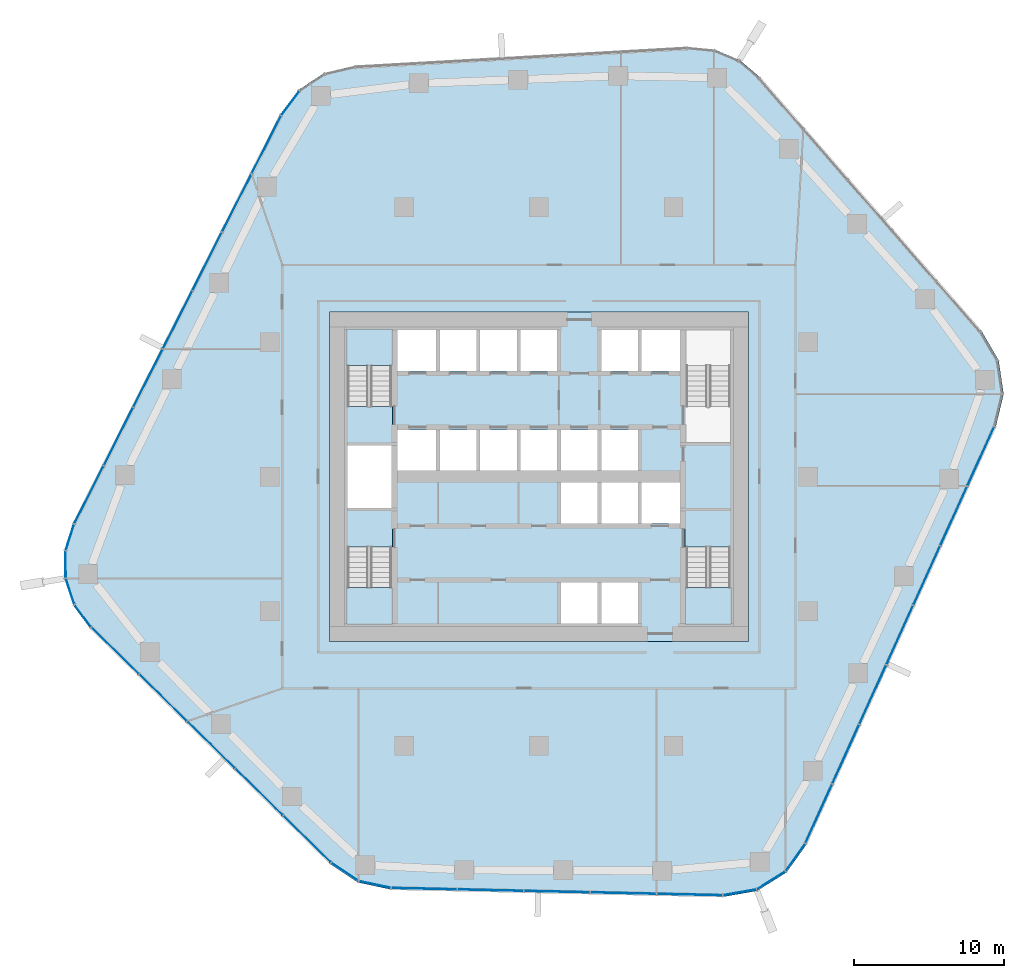
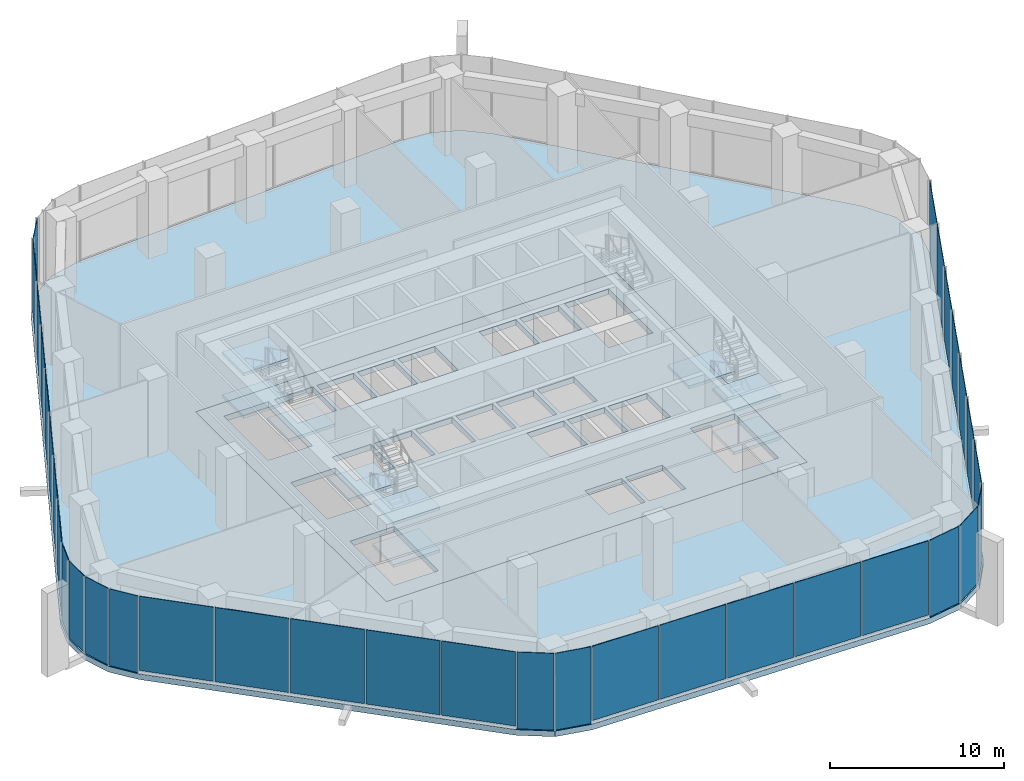
# One storey, part 9 of 18: 34 plates, 11 slabs, 11 elements without a shape of their own.
"""IFC4 building model written with IfcOpenShell, lengths in metres."""

from ifc_helpers import new_model, si_unit, direction, frame, origin, origin_2d, place, context, subcontext, project, spatial, polyline, rectangle, outline, extrude, material, layer, layer_set, type_object, element, aggregate, save


model = new_model("IFC4")

# Units and contexts
model_context = context("Model", 3, precision=1e-05, world=origin(), true_north=direction((0.0, 1.0)))
body_context = subcontext(model_context, "Body", "Model", "MODEL_VIEW")
ifc_project = project(units=[si_unit("LENGTHUNIT", "METRE"), si_unit("AREAUNIT", "SQUARE_METRE"), si_unit("VOLUMEUNIT", "CUBIC_METRE"), si_unit("PLANEANGLEUNIT", "RADIAN"), si_unit("MASSUNIT", "GRAM", prefix="KILO")], contexts=[model_context])

# Site, building, storey
site_placement = place(None, origin())
site = spatial("IfcSite", under=ifc_project, at=site_placement, CompositionType="ELEMENT")
building_placement = place(site_placement, origin())
building = spatial("IfcBuilding", under=site, at=building_placement, Name="Dongbaek Canopy Tower", CompositionType="ELEMENT")
storey_placement = place(building_placement, frame((0.0, 0.0, 139.60009765625)))
storey = spatial("IfcBuildingStorey", under=building, at=storey_placement, Name="L31", CompositionType="ELEMENT", Elevation=139.60009765625)

# Curtain wall, plate
ifc_material_1 = material(Name="Aluminium 6063-T6 pale anodised", Category="aluminium")
ifc_layer_1 = layer(ifc_material_1, 0.25)
ifc_layer_set_1 = layer_set([ifc_layer_1], Name="CW-4 sky-lobby curtain wall")
curtain_wall_type = type_object("IfcCurtainWallType", Name="CW-4 sky-lobby curtain wall", PredefinedType="NOTDEFINED", material=ifc_layer_set_1)
curtain_wall_1_placement = place(storey_placement, origin())
curtain_wall_1 = element("IfcCurtainWall", 1, at=curtain_wall_1_placement, inside=storey, type_object=curtain_wall_type, Name="CW-4 curtain wall K2.1b", PredefinedType="NOTDEFINED")
ifc_material_2 = material(Name="Clear laminated glass", Category="glass")
ifc_layer_2 = layer(ifc_material_2, 0.035888671875)
ifc_layer_set_2 = layer_set([ifc_layer_2], Name="CW-4 glazed panel 36")
plate_type = type_object("IfcPlateType", Name="CW-4 glazed panel 36", PredefinedType="CURTAIN_PANEL", material=ifc_layer_set_2)
plate_1_placement = place(storey_placement, frame((-16.611083984375, 24.96533203125, 0.0), z_axis=(0.0, 0.0, 1.0), x_axis=(-0.599783162963, -0.800162581871, 0.0)))
plate_1 = element("IfcPlate", 2, at=plate_1_placement, type_object=plate_type, Name="CW-4 panel K2.1b.2.1", PredefinedType="CURTAIN_PANEL", context=body_context, shape_type="SweptSolid", body=[
    extrude(rectangle(XDim=1.959716796875, YDim=0.035888671875, at=origin_2d()), origin(), (0.0, 0.0, 1.0), 5.39990234375),
])
aggregate(curtain_wall_1, [plate_1])

# Curtain wall, plates
curtain_wall_2_placement = place(storey_placement, origin())
curtain_wall_2 = element("IfcCurtainWall", 3, at=curtain_wall_2_placement, inside=storey, type_object=curtain_wall_type, Name="CW-4 curtain wall F2.1", PredefinedType="NOTDEFINED")
plate_2_placement = place(storey_placement, frame((-18.214111328125, 22.19580078125, 0.1796875), z_axis=(0.0, 0.0, 1.0), x_axis=(-0.452014052374, -0.892010816334, 0.0)))
plate_2 = element("IfcPlate", 4, at=plate_2_placement, type_object=plate_type, Name="CW-4 panel F2.1.1.1", PredefinedType="CURTAIN_PANEL", context=body_context, shape_type="SweptSolid", body=[
    extrude(rectangle(XDim=4.273193359375, YDim=0.035888671875, at=origin_2d()), origin(), (0.0, 0.0, 1.0), 5.219970703125),
])
plate_3_placement = place(storey_placement, frame((-20.190185546875, 18.29638671875, 0.1796875), z_axis=(0.0, 0.0, 1.0), x_axis=(-0.452014052374, -0.892010816334, 0.0)))
plate_3 = element("IfcPlate", 5, at=plate_3_placement, type_object=plate_type, Name="CW-4 panel F2.1.2.1", PredefinedType="CURTAIN_PANEL", context=body_context, shape_type="SweptSolid", body=[
    extrude(rectangle(XDim=4.281982421875, YDim=0.035888671875, at=origin_2d()), origin(), (0.0, 0.0, 1.0), 5.219970703125),
])
plate_4_placement = place(storey_placement, frame((-22.168212890625, 14.392822265625, 0.1796875), z_axis=(0.0, 0.0, 1.0), x_axis=(-0.452014052374, -0.892010816334, 0.0)))
plate_4 = element("IfcPlate", 6, at=plate_4_placement, type_object=plate_type, Name="CW-4 panel F2.1.3.1", PredefinedType="CURTAIN_PANEL", context=body_context, shape_type="SweptSolid", body=[
    extrude(rectangle(XDim=4.281982421875, YDim=0.035888671875, at=origin_2d()), origin(), (0.0, 0.0, 1.0), 5.219970703125),
])
plate_5_placement = place(storey_placement, frame((-24.146240234375, 10.4892578125, 0.1796875), z_axis=(0.0, 0.0, 1.0), x_axis=(-0.452014052374, -0.892010816334, 0.0)))
plate_5 = element("IfcPlate", 7, at=plate_5_placement, type_object=plate_type, Name="CW-4 panel F2.1.4.1", PredefinedType="CURTAIN_PANEL", context=body_context, shape_type="SweptSolid", body=[
    extrude(rectangle(XDim=4.281982421875, YDim=0.035888671875, at=origin_2d()), origin(), (0.0, 0.0, 1.0), 5.219970703125),
])
plate_6_placement = place(storey_placement, frame((-26.124267578125, 6.5859375, 0.1796875), z_axis=(0.0, 0.0, 1.0), x_axis=(-0.452014052374, -0.892010816334, 0.0)))
plate_6 = element("IfcPlate", 8, at=plate_6_placement, type_object=plate_type, Name="CW-4 panel F2.1.5.1", PredefinedType="CURTAIN_PANEL", context=body_context, shape_type="SweptSolid", body=[
    extrude(rectangle(XDim=4.281982421875, YDim=0.035888671875, at=origin_2d()), origin(), (0.0, 0.0, 1.0), 5.219970703125),
])
plate_7_placement = place(storey_placement, frame((-28.102294921875, 2.682373046875, 0.1796875), z_axis=(0.0, 0.0, 1.0), x_axis=(-0.452014052374, -0.892010816334, 0.0)))
plate_7 = element("IfcPlate", 9, at=plate_7_placement, type_object=plate_type, Name="CW-4 panel F2.1.6.1", PredefinedType="CURTAIN_PANEL", context=body_context, shape_type="SweptSolid", body=[
    extrude(rectangle(XDim=4.281982421875, YDim=0.035888671875, at=origin_2d()), origin(), (0.0, 0.0, 1.0), 5.219970703125),
])
plate_8_placement = place(storey_placement, frame((-30.07861328125, -1.217529296875, 0.1796875), z_axis=(0.0, 0.0, 1.0), x_axis=(-0.452014052374, -0.892010816334, 0.0)))
plate_8 = element("IfcPlate", 10, at=plate_8_placement, type_object=plate_type, Name="CW-4 panel F2.1.7.1", PredefinedType="CURTAIN_PANEL", context=body_context, shape_type="SweptSolid", body=[
    extrude(rectangle(XDim=4.274169921875, YDim=0.035888671875, at=origin_2d()), origin(), (0.0, 0.0, 1.0), 5.219970703125),
])
aggregate(curtain_wall_2, [plate_2, plate_3, plate_4, plate_5, plate_6, plate_7, plate_8])

curtain_wall_3_placement = place(storey_placement, origin())
curtain_wall_3 = element("IfcCurtainWall", 11, at=curtain_wall_3_placement, inside=storey, type_object=curtain_wall_type, Name="CW-4 curtain wall K3.1", PredefinedType="NOTDEFINED")
plate_9_placement = place(storey_placement, frame((-31.35107421875, -4.052978515625, 0.0), z_axis=(0.0, 0.0, 1.0), x_axis=(-0.306073365916, -0.952007927844, 0.0)))
plate_9 = element("IfcPlate", 12, at=plate_9_placement, type_object=plate_type, Name="CW-4 panel K3.1.1.1", PredefinedType="CURTAIN_PANEL", context=body_context, shape_type="SweptSolid", body=[
    extrude(rectangle(XDim=1.769775390625, YDim=0.035888671875, at=origin_2d()), origin(), (0.0, 0.0, 1.0), 5.39990234375),
])
plate_10_placement = place(storey_placement, frame((-31.631591796875, -5.867919921875, 0.0), z_axis=(0.0, 0.0, 1.0), x_axis=(0.004846737127, -0.999988254501, 0.0)))
plate_10 = element("IfcPlate", 13, at=plate_10_placement, type_object=plate_type, Name="CW-4 panel K3.1.2.1", PredefinedType="CURTAIN_PANEL", context=body_context, shape_type="SweptSolid", body=[
    extrude(rectangle(XDim=1.76171875, YDim=0.035888671875, at=origin_2d()), origin(), (0.0, 0.0, 1.0), 5.39990234375),
])
plate_11_placement = place(storey_placement, frame((-31.334716796875, -7.67626953125, 0.0), z_axis=(0.0, 0.0, 1.0), x_axis=(0.315287141992, -0.948996321434, 0.0)))
plate_11 = element("IfcPlate", 14, at=plate_11_placement, type_object=plate_type, Name="CW-4 panel K3.1.3.1", PredefinedType="CURTAIN_PANEL", context=body_context, shape_type="SweptSolid", body=[
    extrude(rectangle(XDim=1.76171875, YDim=0.035888671875, at=origin_2d()), origin(), (0.0, 0.0, 1.0), 5.39990234375),
])
plate_12_placement = place(storey_placement, frame((-30.488037109375, -9.30615234375, 0.0), z_axis=(0.0, 0.0, 1.0), x_axis=(0.594522499436, -0.804078974769, 0.0)))
plate_12 = element("IfcPlate", 15, at=plate_12_placement, type_object=plate_type, Name="CW-4 panel K3.1.4.1", PredefinedType="CURTAIN_PANEL", context=body_context, shape_type="SweptSolid", body=[
    extrude(rectangle(XDim=1.769775390625, YDim=0.035888671875, at=origin_2d()), origin(), (0.0, 0.0, 1.0), 5.39990234375),
])
aggregate(curtain_wall_3, [plate_9, plate_10, plate_11, plate_12])

curtain_wall_4_placement = place(storey_placement, origin())
curtain_wall_4 = element("IfcCurtainWall", 16, at=curtain_wall_4_placement, inside=storey, type_object=curtain_wall_type, Name="CW-4 curtain wall F3.1", PredefinedType="NOTDEFINED")
plate_13_placement = place(storey_placement, frame((-28.331787109375, -11.62841796875, 0.1796875), z_axis=(0.0, 0.0, 1.0), x_axis=(0.713602978834, -0.700550346941, 0.0)))
plate_13 = element("IfcPlate", 17, at=plate_13_placement, type_object=plate_type, Name="CW-4 panel F3.1.1.1", PredefinedType="CURTAIN_PANEL", context=body_context, shape_type="SweptSolid", body=[
    extrude(rectangle(XDim=4.396728515625, YDim=0.035888671875, at=origin_2d()), origin(), (0.0, 0.0, 1.0), 5.219970703125),
])
plate_14_placement = place(storey_placement, frame((-25.124267578125, -14.77734375, 0.1796875), z_axis=(0.0, 0.0, 1.0), x_axis=(0.713602978834, -0.700550346941, 0.0)))
plate_14 = element("IfcPlate", 18, at=plate_14_placement, type_object=plate_type, Name="CW-4 panel F3.1.2.1", PredefinedType="CURTAIN_PANEL", context=body_context, shape_type="SweptSolid", body=[
    extrude(rectangle(XDim=4.40478515625, YDim=0.035888671875, at=origin_2d()), origin(), (0.0, 0.0, 1.0), 5.219970703125),
])
plate_15_placement = place(storey_placement, frame((-21.9140625, -17.928955078125, 0.1796875), z_axis=(0.0, 0.0, 1.0), x_axis=(0.713602978834, -0.700550346941, 0.0)))
plate_15 = element("IfcPlate", 19, at=plate_15_placement, type_object=plate_type, Name="CW-4 panel F3.1.3.1", PredefinedType="CURTAIN_PANEL", context=body_context, shape_type="SweptSolid", body=[
    extrude(rectangle(XDim=4.40478515625, YDim=0.035888671875, at=origin_2d()), origin(), (0.0, 0.0, 1.0), 5.219970703125),
])
plate_16_placement = place(storey_placement, frame((-18.703857421875, -21.080322265625, 0.1796875), z_axis=(0.0, 0.0, 1.0), x_axis=(0.713602978834, -0.700550346941, 0.0)))
plate_16 = element("IfcPlate", 20, at=plate_16_placement, type_object=plate_type, Name="CW-4 panel F3.1.4.1", PredefinedType="CURTAIN_PANEL", context=body_context, shape_type="SweptSolid", body=[
    extrude(rectangle(XDim=4.40478515625, YDim=0.035888671875, at=origin_2d()), origin(), (0.0, 0.0, 1.0), 5.219970703125),
])
plate_17_placement = place(storey_placement, frame((-15.496826171875, -24.228759765625, 0.1796875), z_axis=(0.0, 0.0, 1.0), x_axis=(0.713602978834, -0.700550346941, 0.0)))
plate_17 = element("IfcPlate", 21, at=plate_17_placement, type_object=plate_type, Name="CW-4 panel F3.1.5.1", PredefinedType="CURTAIN_PANEL", context=body_context, shape_type="SweptSolid", body=[
    extrude(rectangle(XDim=4.395263671875, YDim=0.035888671875, at=origin_2d()), origin(), (0.0, 0.0, 1.0), 5.219970703125),
])
aggregate(curtain_wall_4, [plate_13, plate_14, plate_15, plate_16, plate_17])

curtain_wall_5_placement = place(storey_placement, origin())
curtain_wall_5 = element("IfcCurtainWall", 22, at=curtain_wall_5_placement, inside=storey, type_object=curtain_wall_type, Name="CW-4 curtain wall K4.1", PredefinedType="NOTDEFINED")
plate_18_placement = place(storey_placement, frame((-12.97119140625, -26.41650390625, 0.0), z_axis=(0.0, 0.0, 1.0), x_axis=(0.832238996644, -0.554417038398, 0.0)))
plate_18 = element("IfcPlate", 23, at=plate_18_placement, type_object=plate_type, Name="CW-4 panel K4.1.1.1", PredefinedType="CURTAIN_PANEL", context=body_context, shape_type="SweptSolid", body=[
    extrude(rectangle(XDim=2.126220703125, YDim=0.035888671875, at=origin_2d()), origin(), (0.0, 0.0, 1.0), 5.39990234375),
])
plate_19_placement = place(storey_placement, frame((-10.9619140625, -27.26416015625, 0.0), z_axis=(0.0, 0.0, 1.0), x_axis=(0.977895181865, -0.209095703653, 0.0)))
plate_19 = element("IfcPlate", 24, at=plate_19_placement, type_object=plate_type, Name="CW-4 panel K4.1.2.1", PredefinedType="CURTAIN_PANEL", context=body_context, shape_type="SweptSolid", body=[
    extrude(rectangle(XDim=2.126220703125, YDim=0.035888671875, at=origin_2d()), origin(), (0.0, 0.0, 1.0), 5.39990234375),
])
aggregate(curtain_wall_5, [plate_18, plate_19])

curtain_wall_6_placement = place(storey_placement, origin())
curtain_wall_6 = element("IfcCurtainWall", 25, at=curtain_wall_6_placement, inside=storey, type_object=curtain_wall_type, Name="CW-4 curtain wall F4.1", PredefinedType="NOTDEFINED")
plate_20_placement = place(storey_placement, frame((-7.66162109375, -27.545166015625, 0.1796875), z_axis=(0.0, 0.0, 1.0), x_axis=(0.99975483095, -0.022142221927, 0.0)))
plate_20 = element("IfcPlate", 26, at=plate_20_placement, type_object=plate_type, Name="CW-4 panel F4.1.1.1", PredefinedType="CURTAIN_PANEL", context=body_context, shape_type="SweptSolid", body=[
    extrude(rectangle(XDim=4.336181640625, YDim=0.035888671875, at=origin_2d()), origin(), (0.0, 0.0, 1.0), 5.219970703125),
])
plate_21_placement = place(storey_placement, frame((-3.227783203125, -27.6435546875, 0.1796875), z_axis=(0.0, 0.0, 1.0), x_axis=(0.99975483095, -0.022142221927, 0.0)))
plate_21 = element("IfcPlate", 27, at=plate_21_placement, type_object=plate_type, Name="CW-4 panel F4.1.2.1", PredefinedType="CURTAIN_PANEL", context=body_context, shape_type="SweptSolid", body=[
    extrude(rectangle(XDim=4.345703125, YDim=0.035888671875, at=origin_2d()), origin(), (0.0, 0.0, 1.0), 5.219970703125),
])
plate_22_placement = place(storey_placement, frame((1.210693359375, -27.74169921875, 0.1796875), z_axis=(0.0, 0.0, 1.0), x_axis=(0.99975483095, -0.022142221927, 0.0)))
plate_22 = element("IfcPlate", 28, at=plate_22_placement, type_object=plate_type, Name="CW-4 panel F4.1.3.1", PredefinedType="CURTAIN_PANEL", context=body_context, shape_type="SweptSolid", body=[
    extrude(rectangle(XDim=4.345703125, YDim=0.035888671875, at=origin_2d()), origin(), (0.0, 0.0, 1.0), 5.219970703125),
])
plate_23_placement = place(storey_placement, frame((5.6494140625, -27.840087890625, 0.1796875), z_axis=(0.0, 0.0, 1.0), x_axis=(0.99975483095, -0.022142221927, 0.0)))
plate_23 = element("IfcPlate", 29, at=plate_23_placement, type_object=plate_type, Name="CW-4 panel F4.1.4.1", PredefinedType="CURTAIN_PANEL", context=body_context, shape_type="SweptSolid", body=[
    extrude(rectangle(XDim=4.345703125, YDim=0.035888671875, at=origin_2d()), origin(), (0.0, 0.0, 1.0), 5.219970703125),
])
plate_24_placement = place(storey_placement, frame((10.083251953125, -27.938232421875, 0.1796875), z_axis=(0.0, 0.0, 1.0), x_axis=(0.99975483095, -0.022142221927, 0.0)))
plate_24 = element("IfcPlate", 30, at=plate_24_placement, type_object=plate_type, Name="CW-4 panel F4.1.5.1", PredefinedType="CURTAIN_PANEL", context=body_context, shape_type="SweptSolid", body=[
    extrude(rectangle(XDim=4.3359375, YDim=0.035888671875, at=origin_2d()), origin(), (0.0, 0.0, 1.0), 5.219970703125),
])
aggregate(curtain_wall_6, [plate_20, plate_21, plate_22, plate_23, plate_24])

curtain_wall_7_placement = place(storey_placement, origin())
curtain_wall_7 = element("IfcCurtainWall", 31, at=curtain_wall_7_placement, inside=storey, type_object=curtain_wall_type, Name="CW-4 curtain wall K5.1", PredefinedType="NOTDEFINED")
plate_25_placement = place(storey_placement, frame((13.426025390625, -27.790771484375, 0.0), z_axis=(0.0, 0.0, 1.0), x_axis=(0.985171739138, 0.171571105971, 0.0)))
plate_25 = element("IfcPlate", 32, at=plate_25_placement, type_object=plate_type, Name="CW-4 panel K5.1.1.1", PredefinedType="CURTAIN_PANEL", context=body_context, shape_type="SweptSolid", body=[
    extrude(rectangle(XDim=2.196533203125, YDim=0.035888671875, at=origin_2d()), origin(), (0.0, 0.0, 1.0), 5.39990234375),
])
plate_26_placement = place(storey_placement, frame((15.51953125, -26.987060546875, 0.0), z_axis=(0.0, 0.0, 1.0), x_axis=(0.846425073872, 0.532507834985, 0.0)))
plate_26 = element("IfcPlate", 33, at=plate_26_placement, type_object=plate_type, Name="CW-4 panel K5.1.2.1", PredefinedType="CURTAIN_PANEL", context=body_context, shape_type="SweptSolid", body=[
    extrude(rectangle(XDim=2.186767578125, YDim=0.035888671875, at=origin_2d()), origin(), (0.0, 0.0, 1.0), 5.39990234375),
])
plate_27_placement = place(storey_placement, frame((17.150146484375, -25.44775390625, 0.0), z_axis=(0.0, 0.0, 1.0), x_axis=(0.581115887313, 0.813820819046, 0.0)))
plate_27 = element("IfcPlate", 34, at=plate_27_placement, type_object=plate_type, Name="CW-4 panel K5.1.3.1", PredefinedType="CURTAIN_PANEL", context=body_context, shape_type="SweptSolid", body=[
    extrude(rectangle(XDim=2.196533203125, YDim=0.035888671875, at=origin_2d()), origin(), (0.0, 0.0, 1.0), 5.39990234375),
])
aggregate(curtain_wall_7, [plate_25, plate_26, plate_27])

curtain_wall_8_placement = place(storey_placement, origin())
curtain_wall_8 = element("IfcCurtainWall", 35, at=curtain_wall_8_placement, inside=storey, type_object=curtain_wall_type, Name="CW-4 curtain wall F5.1", PredefinedType="NOTDEFINED")
plate_28_placement = place(storey_placement, frame((18.71630859375, -22.528564453125, 0.1796875), z_axis=(0.0, 0.0, 1.0), x_axis=(0.412804446752, 0.910819679597, 0.0)))
plate_28 = element("IfcPlate", 36, at=plate_28_placement, type_object=plate_type, Name="CW-4 panel F5.1.1.1", PredefinedType="CURTAIN_PANEL", context=body_context, shape_type="SweptSolid", body=[
    extrude(rectangle(XDim=4.26904296875, YDim=0.035888671875, at=origin_2d()), origin(), (0.0, 0.0, 1.0), 5.219970703125),
])
plate_29_placement = place(storey_placement, frame((20.51953125, -18.550048828125, 0.1796875), z_axis=(0.0, 0.0, 1.0), x_axis=(0.412804446752, 0.910819679597, 0.0)))
plate_29 = element("IfcPlate", 37, at=plate_29_placement, type_object=plate_type, Name="CW-4 panel F5.1.2.1", PredefinedType="CURTAIN_PANEL", context=body_context, shape_type="SweptSolid", body=[
    extrude(rectangle(XDim=4.27880859375, YDim=0.035888671875, at=origin_2d()), origin(), (0.0, 0.0, 1.0), 5.219970703125),
])
plate_30_placement = place(storey_placement, frame((22.32470703125, -14.567138671875, 0.1796875), z_axis=(0.0, 0.0, 1.0), x_axis=(0.412804446752, 0.910819679597, 0.0)))
plate_30 = element("IfcPlate", 38, at=plate_30_placement, type_object=plate_type, Name="CW-4 panel F5.1.3.1", PredefinedType="CURTAIN_PANEL", context=body_context, shape_type="SweptSolid", body=[
    extrude(rectangle(XDim=4.27880859375, YDim=0.035888671875, at=origin_2d()), origin(), (0.0, 0.0, 1.0), 5.219970703125),
])
plate_31_placement = place(storey_placement, frame((24.1298828125, -10.584228515625, 0.1796875), z_axis=(0.0, 0.0, 1.0), x_axis=(0.412804446752, 0.910819679597, 0.0)))
plate_31 = element("IfcPlate", 39, at=plate_31_placement, type_object=plate_type, Name="CW-4 panel F5.1.4.1", PredefinedType="CURTAIN_PANEL", context=body_context, shape_type="SweptSolid", body=[
    extrude(rectangle(XDim=4.27880859375, YDim=0.035888671875, at=origin_2d()), origin(), (0.0, 0.0, 1.0), 5.219970703125),
])
plate_32_placement = place(storey_placement, frame((25.93505859375, -6.601318359375, 0.1796875), z_axis=(0.0, 0.0, 1.0), x_axis=(0.412804446752, 0.910819679597, 0.0)))
plate_32 = element("IfcPlate", 40, at=plate_32_placement, type_object=plate_type, Name="CW-4 panel F5.1.5.1", PredefinedType="CURTAIN_PANEL", context=body_context, shape_type="SweptSolid", body=[
    extrude(rectangle(XDim=4.27880859375, YDim=0.035888671875, at=origin_2d()), origin(), (0.0, 0.0, 1.0), 5.219970703125),
])
plate_33_placement = place(storey_placement, frame((27.740234375, -2.618408203125, 0.1796875), z_axis=(0.0, 0.0, 1.0), x_axis=(0.412804446752, 0.910819679597, 0.0)))
plate_33 = element("IfcPlate", 41, at=plate_33_placement, type_object=plate_type, Name="CW-4 panel F5.1.6.1", PredefinedType="CURTAIN_PANEL", context=body_context, shape_type="SweptSolid", body=[
    extrude(rectangle(XDim=4.27880859375, YDim=0.035888671875, at=origin_2d()), origin(), (0.0, 0.0, 1.0), 5.219970703125),
])
plate_34_placement = place(storey_placement, frame((29.54345703125, 1.360107421875, 0.1796875), z_axis=(0.0, 0.0, 1.0), x_axis=(0.412804446752, 0.910819679597, 0.0)))
plate_34 = element("IfcPlate", 42, at=plate_34_placement, type_object=plate_type, Name="CW-4 panel F5.1.7.1", PredefinedType="CURTAIN_PANEL", context=body_context, shape_type="SweptSolid", body=[
    extrude(rectangle(XDim=4.269287109375, YDim=0.035888671875, at=origin_2d()), origin(), (0.0, 0.0, 1.0), 5.219970703125),
])
aggregate(curtain_wall_8, [plate_28, plate_29, plate_30, plate_31, plate_32, plate_33, plate_34])

# Slab
ifc_material_3 = material(Name="Concrete C40/50", Category="concrete")
ifc_layer_3 = layer(ifc_material_3, 0.39990234375)
ifc_layer_set_3 = layer_set([ifc_layer_3], Name="Core floor slab 400 Concrete C40/50")
slab_type_1 = type_object("IfcSlabType", Name="Core floor slab 400 Concrete C40/50", PredefinedType="FLOOR", material=ifc_layer_set_3)
slab_1_placement = place(storey_placement, frame((0.0, 0.0, -0.400146484375)))
element("IfcSlab", 43, at=slab_1_placement, inside=storey, type_object=slab_type_1, Name="Core floor slab L31", PredefinedType="FLOOR", context=body_context, shape_type="SweptSolid", body=[
    extrude(outline(polyline([(14.0, -11.0), (14.0, 11.0), (-14.0, 11.0), (-14.0, -11.0), (14.0, -11.0)]), holes=[polyline([(-12.800048828125, 2.10009765625), (-9.85009765625, 2.10009765625), (-9.85009765625, -2.10009765625), (-12.800048828125, -2.10009765625), (-12.800048828125, 2.10009765625)]), polyline([(-6.875, 9.800048828125), (-6.875, 7.074951171875), (-9.449951171875, 7.074951171875), (-9.449951171875, 9.800048828125), (-6.875, 9.800048828125)]), polyline([(-4.175048828125, 9.800048828125), (-4.175048828125, 7.074951171875), (-6.625, 7.074951171875), (-6.625, 9.800048828125), (-4.175048828125, 9.800048828125)]), polyline([(-1.47509765625, 9.800048828125), (-1.47509765625, 7.074951171875), (-3.925048828125, 7.074951171875), (-3.925048828125, 9.800048828125), (-1.47509765625, 9.800048828125)]), polyline([(1.22509765625, 9.800048828125), (1.22509765625, 7.074951171875), (-1.22509765625, 7.074951171875), (-1.22509765625, 9.800048828125), (1.22509765625, 9.800048828125)]), polyline([(6.625, 9.800048828125), (6.625, 7.074951171875), (4.175048828125, 7.074951171875), (4.175048828125, 9.800048828125), (6.625, 9.800048828125)]), polyline([(9.449951171875, 7.074951171875), (6.875, 7.074951171875), (6.875, 9.800048828125), (9.449951171875, 9.800048828125), (9.449951171875, 7.074951171875)]), polyline([(-9.449951171875, 3.125), (-6.875, 3.125), (-6.875, 0.39990234375), (-9.449951171875, 0.39990234375), (-9.449951171875, 3.125)]), polyline([(-6.625, 3.125), (-4.175048828125, 3.125), (-4.175048828125, 0.39990234375), (-6.625, 0.39990234375), (-6.625, 3.125)]), polyline([(-3.925048828125, 3.125), (-1.47509765625, 3.125), (-1.47509765625, 0.39990234375), (-3.925048828125, 0.39990234375), (-3.925048828125, 3.125)]), polyline([(-1.22509765625, 0.39990234375), (-1.22509765625, 3.125), (1.22509765625, 3.125), (1.22509765625, 0.39990234375), (-1.22509765625, 0.39990234375)]), polyline([(1.47509765625, 0.39990234375), (1.47509765625, 3.125), (3.925048828125, 3.125), (3.925048828125, 0.39990234375), (1.47509765625, 0.39990234375)]), polyline([(4.175048828125, 0.39990234375), (4.175048828125, 3.125), (6.625, 3.125), (6.625, 0.39990234375), (4.175048828125, 0.39990234375)]), polyline([(1.47509765625, -0.39990234375), (3.925048828125, -0.39990234375), (3.925048828125, -3.125), (1.47509765625, -3.125), (1.47509765625, -0.39990234375)]), polyline([(6.625, -0.39990234375), (6.625, -3.125), (4.175048828125, -3.125), (4.175048828125, -0.39990234375), (6.625, -0.39990234375)]), polyline([(9.449951171875, -3.125), (6.875, -3.125), (6.875, -0.39990234375), (9.449951171875, -0.39990234375), (9.449951171875, -3.125)]), polyline([(1.47509765625, -9.800048828125), (1.47509765625, -7.074951171875), (3.925048828125, -7.074951171875), (3.925048828125, -9.800048828125), (1.47509765625, -9.800048828125)]), polyline([(4.175048828125, -9.800048828125), (4.175048828125, -7.074951171875), (6.625, -7.074951171875), (6.625, -9.800048828125), (4.175048828125, -9.800048828125)]), polyline([(12.800048828125, 4.70068359375), (12.800048828125, 9.800048828125), (9.85009765625, 9.800048828125), (9.85009765625, 4.70068359375), (12.800048828125, 4.70068359375)]), polyline([(-9.85009765625, 4.70068359375), (-9.85009765625, 9.800048828125), (-12.800048828125, 9.800048828125), (-12.800048828125, 4.70068359375), (-9.85009765625, 4.70068359375)]), polyline([(9.85009765625, -4.70068359375), (9.85009765625, -9.800048828125), (12.800048828125, -9.800048828125), (12.800048828125, -4.70068359375), (9.85009765625, -4.70068359375)]), polyline([(-12.800048828125, -4.70068359375), (-12.800048828125, -9.800048828125), (-9.85009765625, -9.800048828125), (-9.85009765625, -4.70068359375), (-12.800048828125, -4.70068359375)])]), origin(), (0.0, 0.0, 1.0), 0.400146484375),
])

# Stair, slabs
ifc_material_4 = material(Name="Concrete C40/50", Category="concrete")
stair_type = type_object("IfcStairType", Name="Core exit stair", PredefinedType="HALF_TURN_STAIR", material=ifc_material_4)
stair_1_placement = place(storey_placement, origin())
stair_1 = element("IfcStair", 44, at=stair_1_placement, inside=storey, type_object=stair_type, Name="L31 exit stair C", PredefinedType="HALF_TURN_STAIR")
ifc_material_5 = material(Name="Concrete C40/50", Category="concrete")
ifc_layer_4 = layer(ifc_material_5, 0.199951171875)
ifc_layer_set_4 = layer_set([ifc_layer_4], Name="Core stair landing 200")
slab_type_2 = type_object("IfcSlabType", Name="Core stair landing 200", PredefinedType="LANDING", material=ifc_layer_set_4)
slab_2_placement = place(storey_placement, frame((0.0, 0.0, 1.2998046875)))
slab_2 = element("IfcSlab", 45, at=slab_2_placement, type_object=slab_type_2, Name="ST-C landing 1", PredefinedType="LANDING", context=body_context, shape_type="SweptSolid", body=[
    extrude(outline(polyline([(-9.77490234375, 7.419921875), (-9.77490234375, 9.875), (-12.875, 9.875), (-12.875, 7.419921875), (-9.77490234375, 7.419921875)])), origin(), (0.0, 0.0, 1.0), 0.2001953125),
])
slab_3_placement = place(storey_placement, frame((0.0, 0.0, 2.7998046875)))
slab_3 = element("IfcSlab", 46, at=slab_3_placement, type_object=slab_type_2, Name="ST-C landing 2", PredefinedType="LANDING", context=body_context, shape_type="SweptSolid", body=[
    extrude(outline(polyline([(-9.77490234375, 2.22509765625), (-9.77490234375, 4.699951171875), (-12.875, 4.699951171875), (-12.875, 2.22509765625), (-9.77490234375, 2.22509765625)])), origin(), (0.0, 0.0, 1.0), 0.2001953125),
])
slab_4_placement = place(storey_placement, frame((0.0, 0.0, 4.2998046875)))
slab_4 = element("IfcSlab", 47, at=slab_4_placement, type_object=slab_type_2, Name="ST-C landing 3", PredefinedType="LANDING", context=body_context, shape_type="SweptSolid", body=[
    extrude(outline(polyline([(-9.77490234375, 7.419921875), (-9.77490234375, 9.875), (-12.875, 9.875), (-12.875, 7.419921875), (-9.77490234375, 7.419921875)])), origin(), (0.0, 0.0, 1.0), 0.2001953125),
])
aggregate(stair_1, [slab_2, slab_3, slab_4])

stair_2_placement = place(storey_placement, origin())
stair_2 = element("IfcStair", 48, at=stair_2_placement, inside=storey, type_object=stair_type, Name="L31 exit stair B", PredefinedType="HALF_TURN_STAIR")
slab_5_placement = place(storey_placement, frame((0.0, 0.0, 1.2998046875)))
slab_5 = element("IfcSlab", 49, at=slab_5_placement, type_object=slab_type_2, Name="ST-B landing 1", PredefinedType="LANDING", context=body_context, shape_type="SweptSolid", body=[
    extrude(outline(polyline([(9.77490234375, -7.419921875), (9.77490234375, -9.875), (12.875, -9.875), (12.875, -7.419921875), (9.77490234375, -7.419921875)])), origin(), (0.0, 0.0, 1.0), 0.2001953125),
])
slab_6_placement = place(storey_placement, frame((0.0, 0.0, 2.7998046875)))
slab_6 = element("IfcSlab", 50, at=slab_6_placement, type_object=slab_type_2, Name="ST-B landing 2", PredefinedType="LANDING", context=body_context, shape_type="SweptSolid", body=[
    extrude(outline(polyline([(9.77490234375, -2.22509765625), (9.77490234375, -4.699951171875), (12.875, -4.699951171875), (12.875, -2.22509765625), (9.77490234375, -2.22509765625)])), origin(), (0.0, 0.0, 1.0), 0.2001953125),
])
slab_7_placement = place(storey_placement, frame((0.0, 0.0, 4.2998046875)))
slab_7 = element("IfcSlab", 51, at=slab_7_placement, type_object=slab_type_2, Name="ST-B landing 3", PredefinedType="LANDING", context=body_context, shape_type="SweptSolid", body=[
    extrude(outline(polyline([(9.77490234375, -7.419921875), (9.77490234375, -9.875), (12.875, -9.875), (12.875, -7.419921875), (9.77490234375, -7.419921875)])), origin(), (0.0, 0.0, 1.0), 0.2001953125),
])
aggregate(stair_2, [slab_5, slab_6, slab_7])

stair_3_placement = place(storey_placement, origin())
stair_3 = element("IfcStair", 52, at=stair_3_placement, inside=storey, type_object=stair_type, Name="L31 exit stair D", PredefinedType="HALF_TURN_STAIR")
slab_8_placement = place(storey_placement, frame((0.0, 0.0, 1.2998046875)))
slab_8 = element("IfcSlab", 53, at=slab_8_placement, type_object=slab_type_2, Name="ST-D landing 1", PredefinedType="LANDING", context=body_context, shape_type="SweptSolid", body=[
    extrude(outline(polyline([(-12.875, -7.419921875), (-12.875, -9.875), (-9.77490234375, -9.875), (-9.77490234375, -7.419921875), (-12.875, -7.419921875)])), origin(), (0.0, 0.0, 1.0), 0.2001953125),
])
slab_9_placement = place(storey_placement, frame((0.0, 0.0, 2.7998046875)))
slab_9 = element("IfcSlab", 54, at=slab_9_placement, type_object=slab_type_2, Name="ST-D landing 2", PredefinedType="LANDING", context=body_context, shape_type="SweptSolid", body=[
    extrude(outline(polyline([(-12.875, -2.22509765625), (-12.875, -4.699951171875), (-9.77490234375, -4.699951171875), (-9.77490234375, -2.22509765625), (-12.875, -2.22509765625)])), origin(), (0.0, 0.0, 1.0), 0.2001953125),
])
slab_10_placement = place(storey_placement, frame((0.0, 0.0, 4.2998046875)))
slab_10 = element("IfcSlab", 55, at=slab_10_placement, type_object=slab_type_2, Name="ST-D landing 3", PredefinedType="LANDING", context=body_context, shape_type="SweptSolid", body=[
    extrude(outline(polyline([(-12.875, -7.419921875), (-12.875, -9.875), (-9.77490234375, -9.875), (-9.77490234375, -7.419921875), (-12.875, -7.419921875)])), origin(), (0.0, 0.0, 1.0), 0.2001953125),
])
aggregate(stair_3, [slab_8, slab_9, slab_10])

# Slab
ifc_material_6 = material(Name="Concrete C40", Category="concrete")
ifc_layer_5 = layer(ifc_material_6, 0.39990234375)
ifc_layer_set_5 = layer_set([ifc_layer_5], Name="RC FLAT PLATE 400 Concrete C40")
slab_type_3 = type_object("IfcSlabType", Name="RC FLAT PLATE 400 Concrete C40", PredefinedType="FLOOR", material=ifc_layer_set_5)
slab_11_placement = place(storey_placement, frame((0.0, 0.0, -0.400146484375)))
element("IfcSlab", 56, at=slab_11_placement, inside=storey, type_object=slab_type_3, Name="SLAB:L31", PredefinedType="FLOOR", context=body_context, shape_type="SweptSolid", body=[
    extrude(outline(polyline([(17.90283203125, -24.56591796875), (16.5546875, -26.4541015625), (14.5908203125, -27.689453125), (12.30517578125, -28.08740234375), (-9.887939453125, -27.595947265625), (-12.0869140625, -27.125732421875), (-13.95849609375, -25.879150390625), (-30.009765625, -10.121337890625), (-31.132080078125, -8.603515625), (-31.72705078125, -6.812255859375), (-31.736328125, -4.924560546875), (-31.158447265625, -3.127685546875), (-17.312255859375, 24.19677734375), (-16.064697265625, 25.861083984375), (-14.323974609375, 26.99951171875), (-12.29931640625, 27.47509765625), (9.937255859375, 28.7333984375), (11.741455078125, 28.561279296875), (13.411865234375, 27.8583984375), (14.79638671875, 26.688720703125), (29.593994140625, 9.7373046875), (30.7373046875, 7.773193359375), (31.068115234375, 5.52490234375), (30.5390625, 3.314697265625), (17.90283203125, -24.56591796875)]), holes=[polyline([(14.0, 11.0), (-14.0, 11.0), (-14.0, -11.0), (14.0, -11.0), (14.0, 11.0)])]), origin(), (0.0, 0.0, 1.0), 0.400146484375),
])

save(model, "model.ifc")
